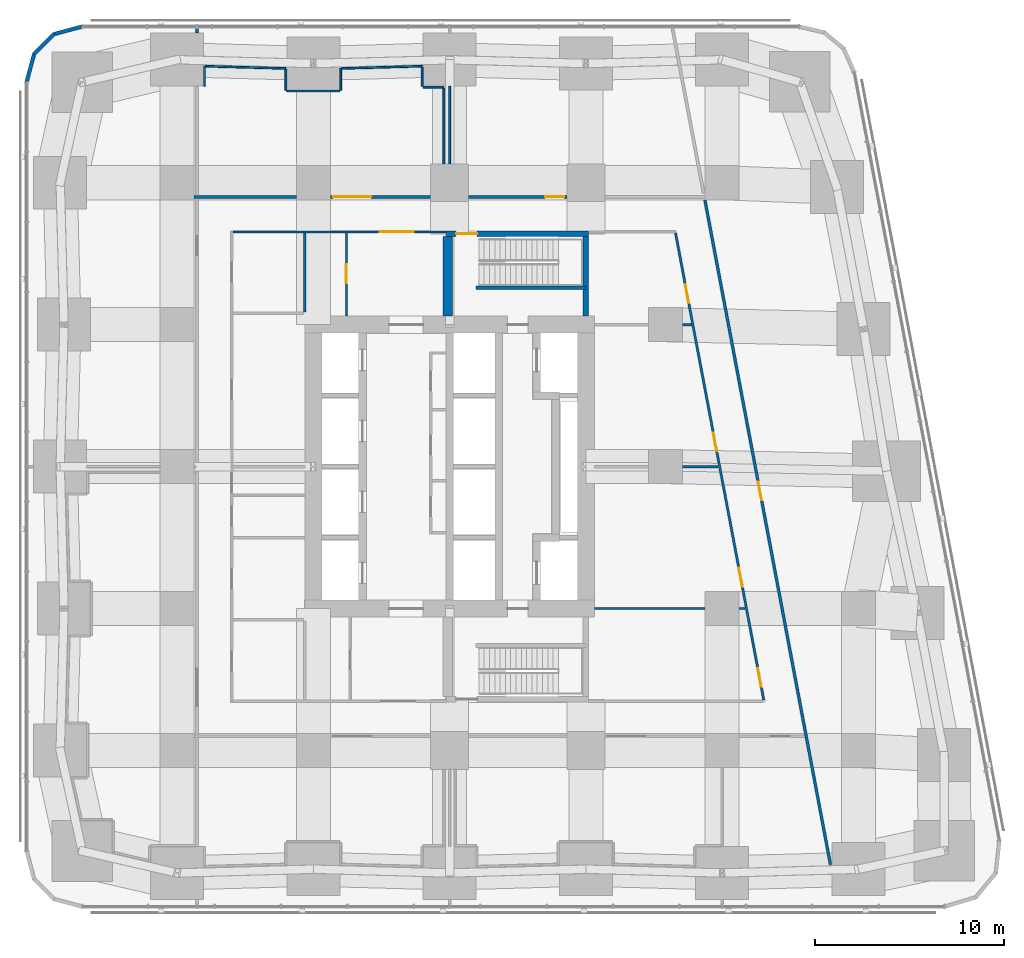
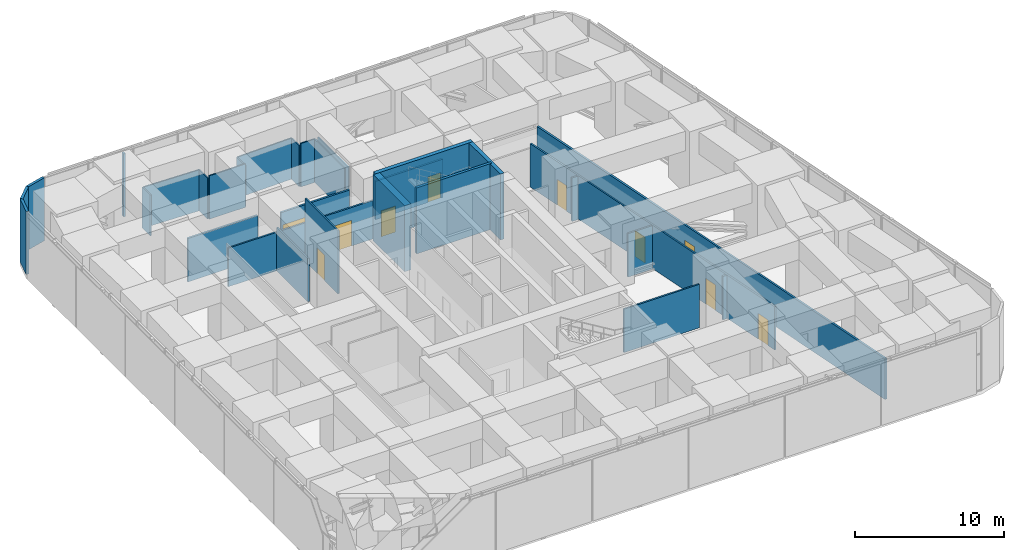
# One storey, part 16 of 20: 30 walls, 10 doors, 10 openings.
"""IFC4 building model written with IfcOpenShell, lengths in metres."""

from ifc_helpers import new_model, si_unit, direction, frame, frame_2d, origin, place, context, subcontext, project, spatial, rectangle, extrude, material, layer, layer_set, type_object, element, fill, save


model = new_model("IFC4")

# Units and contexts
model_context = context("Model", 3, precision=1e-05, world=origin(), true_north=direction((0.0, 1.0)))
body_context = subcontext(model_context, "Body", "Model", "MODEL_VIEW")
ifc_project = project(units=[si_unit("LENGTHUNIT", "METRE"), si_unit("AREAUNIT", "SQUARE_METRE"), si_unit("VOLUMEUNIT", "CUBIC_METRE"), si_unit("PLANEANGLEUNIT", "RADIAN"), si_unit("MASSUNIT", "GRAM", prefix="KILO")], contexts=[model_context])

# Site, building, storey
site_placement = place(None, origin())
site = spatial("IfcSite", under=ifc_project, at=site_placement, CompositionType="ELEMENT")
building_placement = place(site_placement, origin())
building = spatial("IfcBuilding", under=site, at=building_placement, Name="Sheger Commons Tower", CompositionType="ELEMENT")
storey_placement = place(building_placement, frame((0.0, 0.0, 72.5)))
storey = spatial("IfcBuildingStorey", under=building, at=storey_placement, Name="L18", CompositionType="ELEMENT", Elevation=72.5)

# Walls
ifc_material_1 = material(Name="Hollow concrete block masonry, skimmed both sides", Category="masonry")
ifc_layer_1 = layer(ifc_material_1, 0.14990234375)
ifc_layer_set_1 = layer_set([ifc_layer_1], Name="CORRIDOR WALL 150")
wall_type_1 = type_object("IfcWallType", Name="CORRIDOR WALL 150", PredefinedType="SOLIDWALL", material=ifc_layer_set_1)
wall_1_placement = place(storey_placement, frame((8.25, 45.40087890625, 0.0), z_axis=(0.0, 0.0, 1.0), x_axis=(0.0, 1.0, 0.0)))
element("IfcWall", 1, at=wall_1_placement, inside=storey, type_object=wall_type_1, Name="Corridor wall L18", PredefinedType="SOLIDWALL", context=body_context, shape_type="SweptSolid", body=[
    extrude(rectangle(XDim=0.237060546875, YDim=0.14990234375, at=frame_2d((0.11865234375, 0.0))), origin(), (0.0, 0.0, 1.0), 5.14990234375),
])
wall_2_placement = place(storey_placement, frame((8.10009765625, 36.75, 0.0), z_axis=(0.0, 0.0, 1.0), x_axis=(1.0, 0.0, 0.0)))
element("IfcWall", 2, at=wall_2_placement, inside=storey, type_object=wall_type_1, Name="Corridor wall L18", PredefinedType="SOLIDWALL", context=body_context, shape_type="SweptSolid", body=[
    extrude(rectangle(XDim=5.39892578125, YDim=0.14990234375, at=frame_2d((2.699462890625, 0.0))), origin(), (0.0, 0.0, 1.0), 3.550048828125),
])

# Wall, opening, door
wall_3_placement = place(storey_placement, frame((15.301025390625, 36.75, 0.0), z_axis=(0.0, 0.0, 1.0), x_axis=(1.0, 0.0, 0.0)))
wall_3 = element("IfcWall", 3, at=wall_3_placement, inside=storey, type_object=wall_type_1, Name="Corridor wall L18", PredefinedType="SOLIDWALL", context=body_context, shape_type="SweptSolid", body=[
    extrude(rectangle(XDim=5.298095703125, YDim=0.14990234375, at=frame_2d((2.64892578125, 0.0))), origin(), (0.0, 0.0, 1.0), 3.14990234375),
])
opening_1_placement = place(wall_3_placement, frame((0.14990234375, 0.0, 0.0)))
opening_1 = element("IfcOpeningElement", 4, at=opening_1_placement, cuts=wall_3, Name="Opening D8", PredefinedType="OPENING", context=body_context, shape_type="SweptSolid", body=[
    extrude(rectangle(XDim=2.0, YDim=2.10009765625, at=frame_2d((1.0, 1.050048828125))), frame((0.0, 0.0849609375, 0.0), z_axis=(0.0, -1.0, 0.0), x_axis=(1.0, 0.0, 0.0)), (0.0, 0.0, 1.0), 0.169921875),
])
ifc_material_2 = material(Name="Steel door set, fire rated", Category="steel")
door_type_1 = type_object("IfcDoorType", Name="COMMUNITY HALL DOUBLE DOOR 2000x2100", OperationType="DOUBLE_DOOR_SINGLE_SWING", PredefinedType="DOOR", material=ifc_material_2)
door_1_placement = place(opening_1_placement, origin())
door_1 = element("IfcDoor", 5, at=door_1_placement, inside=storey, type_object=door_type_1, Name="Residents' gym door", OperationType="DOUBLE_DOOR_SINGLE_SWING", OverallHeight=2.10009765625, OverallWidth=2.0, PredefinedType="DOOR", context=body_context, shape_type="SweptSolid", body=[
    extrude(rectangle(XDim=2.0, YDim=2.10009765625, at=frame_2d((1.0, 1.050048828125))), frame((0.0, 0.02490234375, 0.0), z_axis=(0.0, -1.0, 0.0), x_axis=(1.0, 0.0, 0.0)), (0.0, 0.0, 1.0), 0.050048828125),
])
fill(opening_1, door_1)

wall_4_placement = place(storey_placement, frame((22.60107421875, 36.75, 0.0), z_axis=(0.0, 0.0, 1.0), x_axis=(1.0, 0.0, 0.0)))
wall_4 = element("IfcWall", 6, at=wall_4_placement, inside=storey, type_object=wall_type_1, Name="Corridor wall L18", PredefinedType="SOLIDWALL", context=body_context, shape_type="SweptSolid", body=[
    extrude(rectangle(XDim=5.197998046875, YDim=0.14990234375, at=frame_2d((2.59912109375, 0.0))), origin(), (0.0, 0.0, 1.0), 3.14990234375),
])
opening_2_placement = place(wall_4_placement, frame((4.048095703125, 0.0, 0.0)))
opening_2 = element("IfcOpeningElement", 7, at=opening_2_placement, cuts=wall_4, Name="Opening D4", PredefinedType="OPENING", context=body_context, shape_type="SweptSolid", body=[
    extrude(rectangle(XDim=1.0, YDim=2.10009765625, at=frame_2d((0.5, 1.050048828125))), frame((0.0, 0.0849609375, 0.0), z_axis=(0.0, -1.0, 0.0), x_axis=(1.0, 0.0, 0.0)), (0.0, 0.0, 1.0), 0.169921875),
])
ifc_material_3 = material(Name="Steel door set, fire rated", Category="steel")
door_type_2 = type_object("IfcDoorType", Name="SERVICE DOOR 1000x2100", OperationType="NOTDEFINED", PredefinedType="DOOR", material=ifc_material_3)
door_2_placement = place(opening_2_placement, origin())
door_2 = element("IfcDoor", 8, at=door_2_placement, inside=storey, type_object=door_type_2, Name="Refuge area door", OperationType="SINGLE_SWING_RIGHT", OverallHeight=2.10009765625, OverallWidth=1.0, PredefinedType="DOOR", context=body_context, shape_type="SweptSolid", body=[
    extrude(rectangle(XDim=1.0, YDim=2.10009765625, at=frame_2d((0.5, 1.050048828125))), frame((0.0, 0.02490234375, 0.0), z_axis=(0.0, -1.0, 0.0), x_axis=(1.0, 0.0, 0.0)), (0.0, 0.0, 1.0), 0.050048828125),
])
fill(opening_2, door_2)

wall_5_placement = place(storey_placement, frame((35.093994140625, 36.5849609375, 0.0), z_axis=(0.0, 0.0, 1.0), x_axis=(0.185591455861, -0.982626995106, 0.0)))
wall_5 = element("IfcWall", 9, at=wall_5_placement, inside=storey, type_object=wall_type_1, Name="Corridor wall L18", PredefinedType="SOLIDWALL", context=body_context, shape_type="SweptSolid", body=[
    extrude(rectangle(XDim=35.73486328125, YDim=0.14990234375, at=frame_2d((17.867431640625, 0.0))), origin(), (0.0, 0.0, 1.0), 3.35009765625),
])
opening_3_placement = place(wall_5_placement, frame((15.14990234375, 0.0, 0.0)))
opening_3 = element("IfcOpeningElement", 10, at=opening_3_placement, cuts=wall_5, Name="Opening D4", PredefinedType="OPENING", context=body_context, shape_type="SweptSolid", body=[
    extrude(rectangle(XDim=1.0, YDim=2.10009765625, at=frame_2d((0.5, 1.050048828125))), frame((0.0, 0.0849609375, 0.0), z_axis=(0.0, -1.0, 0.0), x_axis=(1.0, 0.0, 0.0)), (0.0, 0.0, 1.0), 0.169921875),
])
door_3_placement = place(opening_3_placement, origin())
door_3 = element("IfcDoor", 11, at=door_3_placement, inside=storey, type_object=door_type_2, Name="Refuge area door", OperationType="SINGLE_SWING_LEFT", OverallHeight=2.10009765625, OverallWidth=1.0, PredefinedType="DOOR", context=body_context, shape_type="SweptSolid", body=[
    extrude(rectangle(XDim=1.0, YDim=2.10009765625, at=frame_2d((0.5, 1.050048828125))), frame((0.0, 0.02490234375, 0.0), z_axis=(0.0, -1.0, 0.0), x_axis=(1.0, 0.0, 0.0)), (0.0, 0.0, 1.0), 0.050048828125),
])
fill(opening_3, door_3)

# Walls
ifc_material_4 = material(Name="Rendered concrete block masonry, dark grey", Category="masonry")
ifc_layer_2 = layer(ifc_material_4, 0.199951171875)
ifc_layer_set_2 = layer_set([ifc_layer_2], Name="FACADE WALL 200")
wall_type_2 = type_object("IfcWallType", Name="FACADE WALL 200", PredefinedType="SOLIDWALL", material=ifc_layer_set_2)
wall_6_placement = place(storey_placement, frame((2.1630859375, 45.75, 0.0), z_axis=(0.0, 0.0, 1.0), x_axis=(-0.965832000415, -0.259168954497, 0.0)))
element("IfcWall", 12, at=wall_6_placement, inside=storey, type_object=wall_type_2, Name="Facade wall L18", PredefinedType="SOLIDWALL", context=body_context, shape_type="SweptSolid", body=[
    extrude(rectangle(XDim=1.512939453125, YDim=0.199951171875, at=frame_2d((0.75634765625, 0.0))), origin(), (0.0, 0.0, 1.0), 5.14990234375),
])
wall_7_placement = place(storey_placement, frame((0.701904296875, 45.35791015625, 0.0), z_axis=(0.0, 0.0, 1.0), x_axis=(-0.707106781187, -0.707106781187, 0.0)))
element("IfcWall", 13, at=wall_7_placement, inside=storey, type_object=wall_type_2, Name="Facade wall L18", PredefinedType="SOLIDWALL", context=body_context, shape_type="SweptSolid", body=[
    extrude(rectangle(XDim=1.498779296875, YDim=0.199951171875, at=frame_2d((0.74951171875, 0.0))), origin(), (0.0, 0.0, 1.0), 5.14990234375),
])
wall_8_placement = place(storey_placement, frame((-0.35791015625, 44.298095703125, 0.0), z_axis=(0.0, 0.0, 1.0), x_axis=(-0.259168954497, -0.965832000415, 0.0)))
element("IfcWall", 14, at=wall_8_placement, inside=storey, type_object=wall_type_2, Name="Facade wall L18", PredefinedType="SOLIDWALL", context=body_context, shape_type="SweptSolid", body=[
    extrude(rectangle(XDim=1.512939453125, YDim=0.199951171875, at=frame_2d((0.75634765625, 0.0))), origin(), (0.0, 0.0, 1.0), 5.14990234375),
])
ifc_material_5 = material(Name="Gypsum board on steel studs", Category="steel")
ifc_layer_3 = layer(ifc_material_5, 0.10009765625)
ifc_layer_set_3 = layer_set([ifc_layer_3], Name="PARTITION 100")
wall_type_3 = type_object("IfcWallType", Name="PARTITION 100", PredefinedType="PARTITIONING", material=ifc_layer_set_3)
wall_9_placement = place(storey_placement, frame((21.60009765625, 38.5009765625, 0.0), z_axis=(0.0, 0.0, 1.0), x_axis=(0.0, 1.0, 0.0)))
element("IfcWall", 15, at=wall_9_placement, inside=storey, type_object=wall_type_3, Name="Partition L18", PredefinedType="PARTITIONING", context=body_context, shape_type="SweptSolid", body=[
    extrude(rectangle(XDim=4.09814453125, YDim=0.10009765625, at=frame_2d((2.049072265625, 0.0))), origin(), (0.0, 0.0, 1.0), 3.550048828125),
])
wall_10_placement = place(storey_placement, frame((8.64990234375, 42.60009765625, 0.0), z_axis=(0.0, 0.0, 1.0), x_axis=(0.0, 1.0, 0.0)))
element("IfcWall", 16, at=wall_10_placement, inside=storey, type_object=wall_type_3, Name="Partition L18", PredefinedType="PARTITIONING", context=body_context, shape_type="SweptSolid", body=[
    extrude(rectangle(XDim=1.059814453125, YDim=0.10009765625, at=frame_2d((0.52978515625, 0.0))), origin(), (0.0, 0.0, 1.0), 3.35009765625),
])
wall_11_placement = place(storey_placement, frame((8.700927734375, 43.658935546875, 0.0), z_axis=(0.0, 0.0, 1.0), x_axis=(0.999608731549, -0.027971124584, 0.0)))
element("IfcWall", 17, at=wall_11_placement, inside=storey, type_object=wall_type_3, Name="Partition L18", PredefinedType="PARTITIONING", context=body_context, shape_type="SweptSolid", body=[
    extrude(rectangle(XDim=4.250732421875, YDim=0.10009765625, at=frame_2d((2.12548828125, 0.0))), origin(), (0.0, 0.0, 1.0), 3.35009765625),
])
wall_12_placement = place(storey_placement, frame((12.949951171875, 43.489990234375, 0.0), z_axis=(0.0, 0.0, 1.0), x_axis=(0.0, -1.0, 0.0)))
element("IfcWall", 18, at=wall_12_placement, inside=storey, type_object=wall_type_3, Name="Partition L18", PredefinedType="PARTITIONING", context=body_context, shape_type="SweptSolid", body=[
    extrude(rectangle(XDim=1.090087890625, YDim=0.10009765625, at=frame_2d((0.544921875, 0.0))), origin(), (0.0, 0.0, 1.0), 3.35009765625),
])
wall_13_placement = place(storey_placement, frame((13.0, 42.35009765625, 0.0), z_axis=(0.0, 0.0, 1.0), x_axis=(1.0, 0.0, 0.0)))
element("IfcWall", 19, at=wall_13_placement, inside=storey, type_object=wall_type_3, Name="Partition L18", PredefinedType="PARTITIONING", context=body_context, shape_type="SweptSolid", body=[
    extrude(rectangle(XDim=2.800048828125, YDim=0.10009765625, at=frame_2d((1.39990234375, 0.0))), origin(), (0.0, 0.0, 1.0), 3.550048828125),
])
wall_14_placement = place(storey_placement, frame((15.85009765625, 42.39990234375, 0.0), z_axis=(0.0, 0.0, 1.0), x_axis=(0.0, 1.0, 0.0)))
element("IfcWall", 20, at=wall_14_placement, inside=storey, type_object=wall_type_3, Name="Partition L18", PredefinedType="PARTITIONING", context=body_context, shape_type="SweptSolid", body=[
    extrude(rectangle(XDim=1.14013671875, YDim=0.10009765625, at=frame_2d((0.570068359375, 0.0))), origin(), (0.0, 0.0, 1.0), 3.35009765625),
])
wall_15_placement = place(storey_placement, frame((15.89990234375, 43.541015625, 0.0), z_axis=(0.0, 0.0, 1.0), x_axis=(0.999608911234, 0.027964702423, 0.0)))
element("IfcWall", 21, at=wall_15_placement, inside=storey, type_object=wall_type_3, Name="Partition L18", PredefinedType="PARTITIONING", context=body_context, shape_type="SweptSolid", body=[
    extrude(rectangle(XDim=4.251708984375, YDim=0.10009765625, at=frame_2d((2.1259765625, 0.0))), origin(), (0.0, 0.0, 1.0), 3.35009765625),
])
wall_16_placement = place(storey_placement, frame((20.14990234375, 43.60888671875, 0.0), z_axis=(0.0, 0.0, 1.0), x_axis=(0.0, -1.0, 0.0)))
element("IfcWall", 22, at=wall_16_placement, inside=storey, type_object=wall_type_3, Name="Partition L18", PredefinedType="PARTITIONING", context=body_context, shape_type="SweptSolid", body=[
    extrude(rectangle(XDim=1.0087890625, YDim=0.10009765625, at=frame_2d((0.50439453125, 0.0))), origin(), (0.0, 0.0, 1.0), 3.35009765625),
])
wall_17_placement = place(storey_placement, frame((20.199951171875, 42.550048828125, 0.0), z_axis=(0.0, 0.0, 1.0), x_axis=(1.0, 0.0, 0.0)))
element("IfcWall", 23, at=wall_17_placement, inside=storey, type_object=wall_type_3, Name="Partition L18", PredefinedType="PARTITIONING", context=body_context, shape_type="SweptSolid", body=[
    extrude(rectangle(XDim=1.10009765625, YDim=0.10009765625, at=frame_2d((0.550048828125, 0.0))), origin(), (0.0, 0.0, 1.0), 3.550048828125),
])
wall_18_placement = place(storey_placement, frame((21.300048828125, 42.5, 0.0), z_axis=(0.0, 0.0, 1.0), x_axis=(0.0, -1.0, 0.0)))
element("IfcWall", 24, at=wall_18_placement, inside=storey, type_object=wall_type_3, Name="Partition L18", PredefinedType="PARTITIONING", context=body_context, shape_type="SweptSolid", body=[
    extrude(rectangle(XDim=3.9990234375, YDim=0.10009765625, at=frame_2d((1.99951171875, 0.0))), origin(), (0.0, 0.0, 1.0), 3.550048828125),
])
ifc_material_6 = material(Name="Gypsum board on steel studs, two layers each side, fire rated", Category="steel")
ifc_layer_4 = layer(ifc_material_6, 0.125)
ifc_layer_set_4 = layer_set([ifc_layer_4], Name="SERVICE WALL 125")
wall_type_4 = type_object("IfcWallType", Name="SERVICE WALL 125", PredefinedType="PARTITIONING", material=ifc_layer_set_4)
wall_19_placement = place(storey_placement, frame((13.949951171875, 30.6630859375, 0.0), z_axis=(0.0, 0.0, 1.0), x_axis=(0.0, 1.0, 0.0)))
element("IfcWall", 25, at=wall_19_placement, inside=storey, type_object=wall_type_4, Name="Service room wall L18", PredefinedType="PARTITIONING", context=body_context, shape_type="SweptSolid", body=[
    extrude(rectangle(XDim=4.173828125, YDim=0.125, at=frame_2d((2.0869140625, 0.0))), origin(), (0.0, 0.0, 1.0), 3.550048828125),
])

# Wall, opening, door
wall_20_placement = place(storey_placement, frame((10.1630859375, 34.89990234375, 0.0), z_axis=(0.0, 0.0, 1.0), x_axis=(1.0, 0.0, 0.0)))
wall_20 = element("IfcWall", 26, at=wall_20_placement, inside=storey, type_object=wall_type_4, Name="Service room wall L18", PredefinedType="PARTITIONING", context=body_context, shape_type="SweptSolid", body=[
    extrude(rectangle(XDim=11.286865234375, YDim=0.125, at=frame_2d((5.6435546875, 0.0))), origin(), (0.0, 0.0, 1.0), 3.14990234375),
])
opening_4_placement = place(wall_20_placement, frame((7.737060546875, 0.0, 0.0)))
opening_4 = element("IfcOpeningElement", 27, at=opening_4_placement, cuts=wall_20, Name="Opening D6", PredefinedType="OPENING", context=body_context, shape_type="SweptSolid", body=[
    extrude(rectangle(XDim=1.800048828125, YDim=2.10009765625, at=frame_2d((0.89990234375, 1.050048828125))), frame((0.0, 0.072509765625, 0.0), z_axis=(0.0, -1.0, 0.0), x_axis=(1.0, 0.0, 0.0)), (0.0, 0.0, 1.0), 0.14501953125),
])
ifc_material_7 = material(Name="Steel door set, fire rated", Category="steel")
door_type_3 = type_object("IfcDoorType", Name="LOBBY DOUBLE DOOR 1800x2100", OperationType="DOUBLE_DOOR_SINGLE_SWING", PredefinedType="DOOR", material=ifc_material_7)
door_4_placement = place(opening_4_placement, origin())
door_4 = element("IfcDoor", 28, at=door_4_placement, inside=storey, type_object=door_type_3, Name="Lift lobby north door", OperationType="DOUBLE_DOOR_SINGLE_SWING", OverallHeight=2.10009765625, OverallWidth=1.800048828125, PredefinedType="DOOR", context=body_context, shape_type="SweptSolid", body=[
    extrude(rectangle(XDim=1.800048828125, YDim=2.10009765625, at=frame_2d((0.89990234375, 1.050048828125))), frame((0.0, 0.02490234375, 0.0), z_axis=(0.0, -1.0, 0.0), x_axis=(1.0, 0.0, 0.0)), (0.0, 0.0, 1.0), 0.050048828125),
])
fill(opening_4, door_4)

wall_21_placement = place(storey_placement, frame((16.14990234375, 30.449951171875, 0.0), z_axis=(0.0, 0.0, 1.0), x_axis=(0.0, 1.0, 0.0)))
wall_21 = element("IfcWall", 29, at=wall_21_placement, inside=storey, type_object=wall_type_4, Name="Service room wall L18", PredefinedType="PARTITIONING", context=body_context, shape_type="SweptSolid", body=[
    extrude(rectangle(XDim=4.386962890625, YDim=0.125, at=frame_2d((2.193359375, 0.0))), origin(), (0.0, 0.0, 1.0), 5.14990234375),
])
opening_5_placement = place(wall_21_placement, frame((1.75, 0.0, 0.0)))
opening_5 = element("IfcOpeningElement", 30, at=opening_5_placement, cuts=wall_21, Name="Opening D4", PredefinedType="OPENING", context=body_context, shape_type="SweptSolid", body=[
    extrude(rectangle(XDim=1.0, YDim=2.10009765625, at=frame_2d((0.5, 1.050048828125))), frame((0.0, 0.072509765625, 0.0), z_axis=(0.0, -1.0, 0.0), x_axis=(1.0, 0.0, 0.0)), (0.0, 0.0, 1.0), 0.14501953125),
])
door_5_placement = place(opening_5_placement, origin())
door_5 = element("IfcDoor", 31, at=door_5_placement, inside=storey, type_object=door_type_2, Name="Telecom switch room door", OperationType="SINGLE_SWING_RIGHT", OverallHeight=2.10009765625, OverallWidth=1.0, PredefinedType="DOOR", context=body_context, shape_type="SweptSolid", body=[
    extrude(rectangle(XDim=1.0, YDim=2.10009765625, at=frame_2d((0.5, 1.050048828125))), frame((0.0, 0.02490234375, 0.0), z_axis=(0.0, -1.0, 0.0), x_axis=(1.0, 0.0, 0.0)), (0.0, 0.0, 1.0), 0.050048828125),
])
fill(opening_5, door_5)

# Wall, openings, doors
wall_22_placement = place(storey_placement, frame((38.201904296875, 10.1630859375, 0.0), z_axis=(0.0, 0.0, 1.0), x_axis=(-0.185610321132, 0.982623431783, 0.0)))
wall_22 = element("IfcWall", 32, at=wall_22_placement, inside=storey, type_object=wall_type_4, Name="Service room wall L18", PredefinedType="PARTITIONING", context=body_context, shape_type="SweptSolid", body=[
    extrude(rectangle(XDim=25.111083984375, YDim=0.125, at=frame_2d((12.5556640625, 0.0))), origin(), (0.0, 0.0, 1.0), 3.550048828125),
])
opening_6_placement = place(wall_22_placement, frame((0.7080078125, 0.0, 0.0)))
opening_6 = element("IfcOpeningElement", 33, at=opening_6_placement, cuts=wall_22, Name="Opening D4", PredefinedType="OPENING", context=body_context, shape_type="SweptSolid", body=[
    extrude(rectangle(XDim=1.0, YDim=2.10009765625, at=frame_2d((0.5, 1.050048828125))), frame((0.0, 0.072509765625, 0.0), z_axis=(0.0, -1.0, 0.0), x_axis=(1.0, 0.0, 0.0)), (0.0, 0.0, 1.0), 0.14501953125),
])
opening_7_placement = place(wall_22_placement, frame((6.10009765625, 0.0, 0.0)))
opening_7 = element("IfcOpeningElement", 34, at=opening_7_placement, cuts=wall_22, Name="Opening D4", PredefinedType="OPENING", context=body_context, shape_type="SweptSolid", body=[
    extrude(rectangle(XDim=1.0, YDim=2.10009765625, at=frame_2d((0.5, 1.050048828125))), frame((0.0, 0.072509765625, 0.0), z_axis=(0.0, -1.0, 0.0), x_axis=(1.0, 0.0, 0.0)), (0.0, 0.0, 1.0), 0.14501953125),
])
opening_8_placement = place(wall_22_placement, frame((13.3779296875, 0.0, 0.0)))
opening_8 = element("IfcOpeningElement", 35, at=opening_8_placement, cuts=wall_22, Name="Opening D4", PredefinedType="OPENING", context=body_context, shape_type="SweptSolid", body=[
    extrude(rectangle(XDim=1.0, YDim=2.10009765625, at=frame_2d((0.5, 1.050048828125))), frame((0.0, 0.072509765625, 0.0), z_axis=(0.0, -1.0, 0.0), x_axis=(1.0, 0.0, 0.0)), (0.0, 0.0, 1.0), 0.14501953125),
])
opening_9_placement = place(wall_22_placement, frame((21.35009765625, 0.0, 0.0)))
opening_9 = element("IfcOpeningElement", 36, at=opening_9_placement, cuts=wall_22, Name="Opening D4", PredefinedType="OPENING", context=body_context, shape_type="SweptSolid", body=[
    extrude(rectangle(XDim=1.0, YDim=2.10009765625, at=frame_2d((0.5, 1.050048828125))), frame((0.0, 0.072509765625, 0.0), z_axis=(0.0, -1.0, 0.0), x_axis=(1.0, 0.0, 0.0)), (0.0, 0.0, 1.0), 0.14501953125),
])
door_6_placement = place(opening_6_placement, origin())
door_6 = element("IfcDoor", 37, at=door_6_placement, inside=storey, type_object=door_type_2, Name="Community kitchen door", OperationType="SINGLE_SWING_LEFT", OverallHeight=2.10009765625, OverallWidth=1.0, PredefinedType="DOOR", context=body_context, shape_type="SweptSolid", body=[
    extrude(rectangle(XDim=1.0, YDim=2.10009765625, at=frame_2d((0.5, 1.050048828125))), frame((0.0, 0.02490234375, 0.0), z_axis=(0.0, -1.0, 0.0), x_axis=(1.0, 0.0, 0.0)), (0.0, 0.0, 1.0), 0.050048828125),
])
fill(opening_6, door_6)
door_7_placement = place(opening_7_placement, origin())
door_7 = element("IfcDoor", 38, at=door_7_placement, inside=storey, type_object=door_type_2, Name="Refuge area store door", OperationType="SINGLE_SWING_LEFT", OverallHeight=2.10009765625, OverallWidth=1.0, PredefinedType="DOOR", context=body_context, shape_type="SweptSolid", body=[
    extrude(rectangle(XDim=1.0, YDim=2.10009765625, at=frame_2d((0.5, 1.050048828125))), frame((0.0, 0.02490234375, 0.0), z_axis=(0.0, -1.0, 0.0), x_axis=(1.0, 0.0, 0.0)), (0.0, 0.0, 1.0), 0.050048828125),
])
fill(opening_7, door_7)
door_8_placement = place(opening_8_placement, origin())
door_8 = element("IfcDoor", 39, at=door_8_placement, inside=storey, type_object=door_type_2, Name="Community store door", OperationType="SINGLE_SWING_LEFT", OverallHeight=2.10009765625, OverallWidth=1.0, PredefinedType="DOOR", context=body_context, shape_type="SweptSolid", body=[
    extrude(rectangle(XDim=1.0, YDim=2.10009765625, at=frame_2d((0.5, 1.050048828125))), frame((0.0, 0.02490234375, 0.0), z_axis=(0.0, -1.0, 0.0), x_axis=(1.0, 0.0, 0.0)), (0.0, 0.0, 1.0), 0.050048828125),
])
fill(opening_8, door_8)
door_9_placement = place(opening_9_placement, origin())
door_9 = element("IfcDoor", 40, at=door_9_placement, inside=storey, type_object=door_type_2, Name="First aid room door", OperationType="SINGLE_SWING_LEFT", OverallHeight=2.10009765625, OverallWidth=1.0, PredefinedType="DOOR", context=body_context, shape_type="SweptSolid", body=[
    extrude(rectangle(XDim=1.0, YDim=2.10009765625, at=frame_2d((0.5, 1.050048828125))), frame((0.0, 0.02490234375, 0.0), z_axis=(0.0, -1.0, 0.0), x_axis=(1.0, 0.0, 0.0)), (0.0, 0.0, 1.0), 0.050048828125),
])
fill(opening_9, door_9)

# Walls
wall_23_placement = place(storey_placement, frame((29.25, 15.0, 0.0), z_axis=(0.0, 0.0, 1.0), x_axis=(1.0, 0.0, 0.0)))
element("IfcWall", 41, at=wall_23_placement, inside=storey, type_object=wall_type_4, Name="Service room wall L18", PredefinedType="PARTITIONING", context=body_context, shape_type="SweptSolid", body=[
    extrude(rectangle(XDim=5.84912109375, YDim=0.125, at=frame_2d((2.924560546875, 0.0))), origin(), (0.0, 0.0, 1.0), 3.550048828125),
])
wall_24_placement = place(storey_placement, frame((36.90087890625, 15.0, 0.0), z_axis=(0.0, 0.0, 1.0), x_axis=(1.0, 0.0, 0.0)))
element("IfcWall", 42, at=wall_24_placement, inside=storey, type_object=wall_type_4, Name="Service room wall L18", PredefinedType="PARTITIONING", context=body_context, shape_type="SweptSolid", body=[
    extrude(rectangle(XDim=0.31201171875, YDim=0.125, at=frame_2d((0.156005859375, 0.0))), origin(), (0.0, 0.0, 1.0), 3.550048828125),
])
wall_25_placement = place(storey_placement, frame((33.90087890625, 22.5, 0.0), z_axis=(0.0, 0.0, 1.0), x_axis=(1.0, 0.0, 0.0)))
element("IfcWall", 43, at=wall_25_placement, inside=storey, type_object=wall_type_4, Name="Service room wall L18", PredefinedType="PARTITIONING", context=body_context, shape_type="SweptSolid", body=[
    extrude(rectangle(XDim=1.89501953125, YDim=0.125, at=frame_2d((0.947509765625, 0.0))), origin(), (0.0, 0.0, 1.0), 3.550048828125),
])
wall_26_placement = place(storey_placement, frame((33.90087890625, 30.0, 0.0), z_axis=(0.0, 0.0, 1.0), x_axis=(1.0, 0.0, 0.0)))
element("IfcWall", 44, at=wall_26_placement, inside=storey, type_object=wall_type_4, Name="Service room wall L18", PredefinedType="PARTITIONING", context=body_context, shape_type="SweptSolid", body=[
    extrude(rectangle(XDim=0.47802734375, YDim=0.125, at=frame_2d((0.239013671875, 0.0))), origin(), (0.0, 0.0, 1.0), 3.550048828125),
])

# Wall, opening, door
ifc_material_8 = material(Name="Concrete C50/60", Category="concrete")
ifc_layer_5 = layer(ifc_material_8, 0.300048828125)
ifc_layer_set_5 = layer_set([ifc_layer_5], Name="STAIR CORE WALL 300")
wall_type_5 = type_object("IfcWallType", Name="STAIR CORE WALL 300", PredefinedType="SHEAR", material=ifc_layer_set_5)
wall_27_placement = place(storey_placement, frame((21.449951171875, 34.800048828125, 0.0), z_axis=(0.0, 0.0, 1.0), x_axis=(1.0, 0.0, 0.0)))
wall_27 = element("IfcWall", 45, at=wall_27_placement, inside=storey, type_object=wall_type_5, Name="STW-L18-S2N", PredefinedType="SHEAR", context=body_context, shape_type="SweptSolid", body=[
    extrude(rectangle(XDim=7.5, YDim=0.300048828125, at=frame_2d((3.75, 0.0))), origin(), (0.0, 0.0, 1.0), 5.39990234375),
])
opening_10_placement = place(wall_27_placement, frame((0.5, 0.0, 0.0)))
opening_10 = element("IfcOpeningElement", 46, at=opening_10_placement, cuts=wall_27, Name="Opening D5", PredefinedType="OPENING", context=body_context, shape_type="SweptSolid", body=[
    extrude(rectangle(XDim=1.10009765625, YDim=2.10009765625, at=frame_2d((0.550048828125, 1.050048828125))), frame((0.0, 0.159912109375, 0.0), z_axis=(0.0, -1.0, 0.0), x_axis=(1.0, 0.0, 0.0)), (0.0, 0.0, 1.0), 0.320068359375),
])
ifc_material_9 = material(Name="Steel door set, fire rated", Category="steel")
door_type_4 = type_object("IfcDoorType", Name="STAIR DOOR 1100x2100", OperationType="NOTDEFINED", PredefinedType="DOOR", material=ifc_material_9)
door_10_placement = place(opening_10_placement, origin())
door_10 = element("IfcDoor", 47, at=door_10_placement, inside=storey, type_object=door_type_4, Name="Stair S2 door", OperationType="SINGLE_SWING_RIGHT", OverallHeight=2.10009765625, OverallWidth=1.10009765625, PredefinedType="DOOR", context=body_context, shape_type="SweptSolid", body=[
    extrude(rectangle(XDim=1.10009765625, YDim=2.10009765625, at=frame_2d((0.550048828125, 1.050048828125))), frame((0.0, 0.02490234375, 0.0), z_axis=(0.0, -1.0, 0.0), x_axis=(1.0, 0.0, 0.0)), (0.0, 0.0, 1.0), 0.050048828125),
])
fill(opening_10, door_10)

# Walls
wall_28_placement = place(storey_placement, frame((28.800048828125, 30.449951171875, 0.0), z_axis=(0.0, 0.0, 1.0), x_axis=(0.0, 1.0, 0.0)))
element("IfcWall", 48, at=wall_28_placement, inside=storey, type_object=wall_type_5, Name="STW-L18-S2E", PredefinedType="SHEAR", context=body_context, shape_type="SweptSolid", body=[
    extrude(rectangle(XDim=4.199951171875, YDim=0.300048828125, at=frame_2d((2.10009765625, 0.0))), origin(), (0.0, 0.0, 1.0), 5.39990234375),
])
ifc_material_10 = material(Name="Concrete C50/60", Category="concrete")
ifc_layer_6 = layer(ifc_material_10, 0.5)
ifc_layer_set_6 = layer_set([ifc_layer_6], Name="STAIR CORE WALL 500")
wall_type_6 = type_object("IfcWallType", Name="STAIR CORE WALL 500", PredefinedType="SHEAR", material=ifc_layer_set_6)
wall_29_placement = place(storey_placement, frame((21.5, 30.449951171875, 0.0), z_axis=(0.0, 0.0, 1.0), x_axis=(0.0, 1.0, 0.0)))
element("IfcWall", 49, at=wall_29_placement, inside=storey, type_object=wall_type_6, Name="STW-L18-S2W", PredefinedType="SHEAR", context=body_context, shape_type="SweptSolid", body=[
    extrude(rectangle(XDim=4.199951171875, YDim=0.5, at=frame_2d((2.10009765625, 0.0))), origin(), (0.0, 0.0, 1.0), 5.39990234375),
])
ifc_material_11 = material(Name="Concrete C50/60", Category="concrete")
ifc_layer_7 = layer(ifc_material_11, 0.199951171875)
ifc_layer_set_7 = layer_set([ifc_layer_7], Name="STAIR SPINE WALL 200")
wall_type_7 = type_object("IfcWallType", Name="STAIR SPINE WALL 200", PredefinedType="SHEAR", material=ifc_layer_set_7)
wall_30_placement = place(storey_placement, frame((23.0, 31.949951171875, 0.0), z_axis=(0.0, 0.0, 1.0), x_axis=(1.0, 0.0, 0.0)))
element("IfcWall", 50, at=wall_30_placement, inside=storey, type_object=wall_type_7, Name="Stair spine wall L18", PredefinedType="SHEAR", context=body_context, shape_type="SweptSolid", body=[
    extrude(rectangle(XDim=5.800048828125, YDim=0.199951171875, at=frame_2d((2.89990234375, 0.0))), origin(), (0.0, 0.0, 1.0), 5.39990234375),
])

save(model, "model.ifc")
